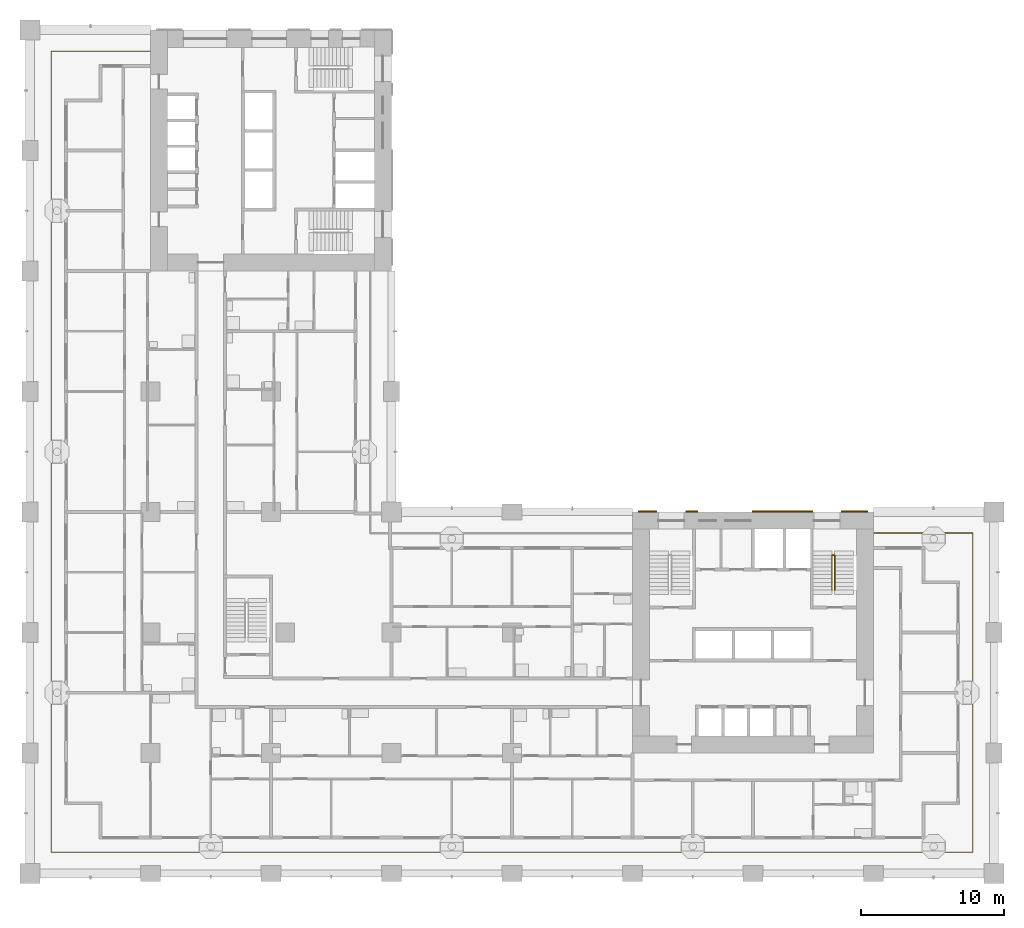
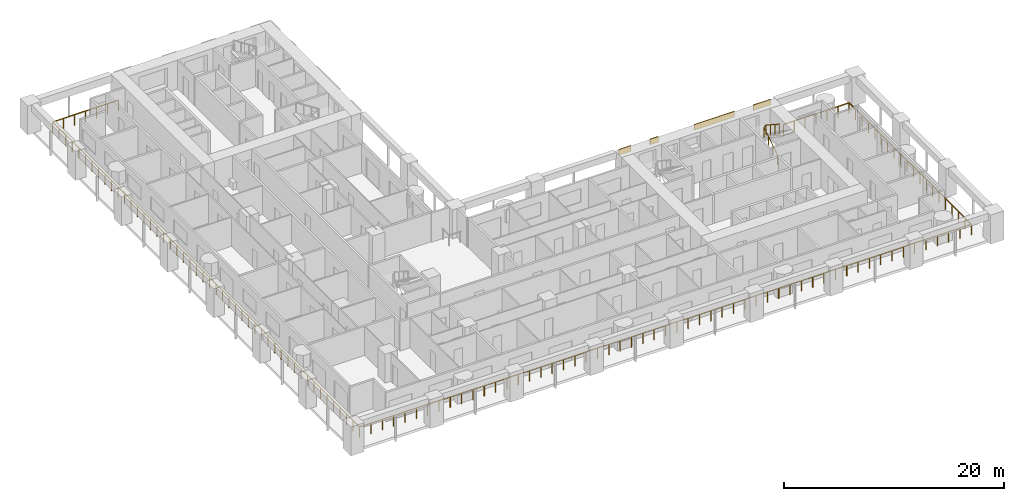
# One storey, part 13 of 20: 4 shading devices, 2 railings.
"""IFC4 building model written with IfcOpenShell, lengths in metres."""

from ifc_helpers import new_model, si_unit, direction, frame, origin, origin_2d, place, context, subcontext, project, spatial, rectangle, circle, extrude, material, layer, layer_set, type_object, element, save


model = new_model("IFC4")

# Units and contexts
model_context = context("Model", 3, precision=1e-05, world=origin(), true_north=direction((0.0, 1.0)))
body_context = subcontext(model_context, "Body", "Model", "MODEL_VIEW")
ifc_project = project(units=[si_unit("LENGTHUNIT", "METRE"), si_unit("AREAUNIT", "SQUARE_METRE"), si_unit("VOLUMEUNIT", "CUBIC_METRE"), si_unit("PLANEANGLEUNIT", "RADIAN"), si_unit("MASSUNIT", "GRAM", prefix="KILO")], contexts=[model_context])

# Site, building, storey
site_placement = place(None, origin())
site = spatial("IfcSite", under=ifc_project, at=site_placement, CompositionType="ELEMENT")
building_placement = place(site_placement, origin())
building = spatial("IfcBuilding", under=site, at=building_placement, Name="Vermilion Gate Residences", CompositionType="ELEMENT")
storey_placement = place(building_placement, frame((0.0, 0.0, 42.699951171875)))
storey = spatial("IfcBuildingStorey", under=building, at=storey_placement, Name="L09", CompositionType="ELEMENT", Elevation=42.699951171875)

# Railings
ifc_material_1 = material(Name="Stainless steel and toughened glass", Category="steel")
railing_type_1 = type_object("IfcRailingType", Name="LOGGIA GUARD STEEL AND GLASS 1200", PredefinedType="GUARDRAIL", material=ifc_material_1)
railing_1_placement = place(storey_placement, frame((8.3779296875, 57.324951171875, 0.0)))
element("IfcRailing", 1, at=railing_1_placement, inside=storey, type_object=railing_type_1, Name="Loggia guard", PredefinedType="GUARDRAIL", context=body_context, shape_type="SweptSolid", body=[
    extrude(circle(Radius=0.030029296875, at=origin_2d()), frame((0.0, 0.0, 1.169921875), z_axis=(-1.0, 0.0, 0.0), x_axis=(0.0, -1.0, 0.0)), (0.0, 0.0, 1.0), 6.90283203125),
    extrude(circle(Radius=0.030029296875, at=origin_2d()), frame((-6.90283203125, 0.0, 1.169921875), z_axis=(0.0, -1.0, 0.0), x_axis=(1.0, 0.0, 0.0)), (0.0, 0.0, 1.0), 55.849853515625),
    extrude(circle(Radius=0.030029296875, at=origin_2d()), frame((-6.90283203125, -55.849853515625, 1.169921875), z_axis=(1.0, 0.0, 0.0), x_axis=(0.0, 1.0, 0.0)), (0.0, 0.0, 1.0), 64.25),
    extrude(circle(Radius=0.030029296875, at=origin_2d()), frame((57.34716796875, -55.849853515625, 1.169921875), z_axis=(0.0, 1.0, 0.0), x_axis=(-1.0, 0.0, 0.0)), (0.0, 0.0, 1.0), 22.25),
    extrude(circle(Radius=0.030029296875, at=origin_2d()), frame((57.34716796875, -33.599853515625, 1.169921875), z_axis=(-1.0, 0.0, 0.0), x_axis=(0.0, -1.0, 0.0)), (0.0, 0.0, 1.0), 6.903076171875),
    extrude(circle(Radius=0.02490234375, at=origin_2d()), origin(), (0.0, 0.0, 1.0), 1.139892578125),
    extrude(circle(Radius=0.02490234375, at=origin_2d()), frame((-1.150390625, 0.0, 0.0)), (0.0, 0.0, 1.0), 1.139892578125),
    extrude(circle(Radius=0.02490234375, at=origin_2d()), frame((-2.301025390625, 0.0, 0.0)), (0.0, 0.0, 1.0), 1.139892578125),
    extrude(circle(Radius=0.02490234375, at=origin_2d()), frame((-3.451416015625, 0.0, 0.0)), (0.0, 0.0, 1.0), 1.139892578125),
    extrude(circle(Radius=0.02490234375, at=origin_2d()), frame((-4.601806640625, 0.0, 0.0)), (0.0, 0.0, 1.0), 1.139892578125),
    extrude(circle(Radius=0.02490234375, at=origin_2d()), frame((-5.75244140625, 0.0, 0.0)), (0.0, 0.0, 1.0), 1.139892578125),
    extrude(circle(Radius=0.02490234375, at=origin_2d()), frame((-6.90283203125, 0.0, 0.0)), (0.0, 0.0, 1.0), 1.139892578125),
    extrude(circle(Radius=0.02490234375, at=origin_2d()), frame((-6.90283203125, -1.188232421875, 0.0)), (0.0, 0.0, 1.0), 1.139892578125),
    extrude(circle(Radius=0.02490234375, at=origin_2d()), frame((-6.90283203125, -2.376708984375, 0.0)), (0.0, 0.0, 1.0), 1.139892578125),
    extrude(circle(Radius=0.02490234375, at=origin_2d()), frame((-6.90283203125, -3.56494140625, 0.0)), (0.0, 0.0, 1.0), 1.139892578125),
    extrude(circle(Radius=0.02490234375, at=origin_2d()), frame((-6.90283203125, -4.753173828125, 0.0)), (0.0, 0.0, 1.0), 1.139892578125),
    extrude(circle(Radius=0.02490234375, at=origin_2d()), frame((-6.90283203125, -5.94140625, 0.0)), (0.0, 0.0, 1.0), 1.139892578125),
    extrude(circle(Radius=0.02490234375, at=origin_2d()), frame((-6.90283203125, -7.1298828125, 0.0)), (0.0, 0.0, 1.0), 1.139892578125),
    extrude(circle(Radius=0.02490234375, at=origin_2d()), frame((-6.90283203125, -8.318115234375, 0.0)), (0.0, 0.0, 1.0), 1.139892578125),
    extrude(circle(Radius=0.02490234375, at=origin_2d()), frame((-6.90283203125, -9.50634765625, 0.0)), (0.0, 0.0, 1.0), 1.139892578125),
    extrude(circle(Radius=0.02490234375, at=origin_2d()), frame((-6.90283203125, -10.694580078125, 0.0)), (0.0, 0.0, 1.0), 1.139892578125),
    extrude(circle(Radius=0.02490234375, at=origin_2d()), frame((-6.90283203125, -11.883056640625, 0.0)), (0.0, 0.0, 1.0), 1.139892578125),
    extrude(circle(Radius=0.02490234375, at=origin_2d()), frame((-6.90283203125, -13.0712890625, 0.0)), (0.0, 0.0, 1.0), 1.139892578125),
    extrude(circle(Radius=0.02490234375, at=origin_2d()), frame((-6.90283203125, -14.259521484375, 0.0)), (0.0, 0.0, 1.0), 1.139892578125),
    extrude(circle(Radius=0.02490234375, at=origin_2d()), frame((-6.90283203125, -15.44775390625, 0.0)), (0.0, 0.0, 1.0), 1.139892578125),
    extrude(circle(Radius=0.02490234375, at=origin_2d()), frame((-6.90283203125, -16.63623046875, 0.0)), (0.0, 0.0, 1.0), 1.139892578125),
    extrude(circle(Radius=0.02490234375, at=origin_2d()), frame((-6.90283203125, -17.824462890625, 0.0)), (0.0, 0.0, 1.0), 1.139892578125),
    extrude(circle(Radius=0.02490234375, at=origin_2d()), frame((-6.90283203125, -19.0126953125, 0.0)), (0.0, 0.0, 1.0), 1.139892578125),
    extrude(circle(Radius=0.02490234375, at=origin_2d()), frame((-6.90283203125, -20.200927734375, 0.0)), (0.0, 0.0, 1.0), 1.139892578125),
    extrude(circle(Radius=0.02490234375, at=origin_2d()), frame((-6.90283203125, -21.389404296875, 0.0)), (0.0, 0.0, 1.0), 1.139892578125),
    extrude(circle(Radius=0.02490234375, at=origin_2d()), frame((-6.90283203125, -22.57763671875, 0.0)), (0.0, 0.0, 1.0), 1.139892578125),
    extrude(circle(Radius=0.02490234375, at=origin_2d()), frame((-6.90283203125, -23.765869140625, 0.0)), (0.0, 0.0, 1.0), 1.139892578125),
    extrude(circle(Radius=0.02490234375, at=origin_2d()), frame((-6.90283203125, -24.9541015625, 0.0)), (0.0, 0.0, 1.0), 1.139892578125),
    extrude(circle(Radius=0.02490234375, at=origin_2d()), frame((-6.90283203125, -26.142578125, 0.0)), (0.0, 0.0, 1.0), 1.139892578125),
    extrude(circle(Radius=0.02490234375, at=origin_2d()), frame((-6.90283203125, -27.330810546875, 0.0)), (0.0, 0.0, 1.0), 1.139892578125),
    extrude(circle(Radius=0.02490234375, at=origin_2d()), frame((-6.90283203125, -28.51904296875, 0.0)), (0.0, 0.0, 1.0), 1.139892578125),
    extrude(circle(Radius=0.02490234375, at=origin_2d()), frame((-6.90283203125, -29.707275390625, 0.0)), (0.0, 0.0, 1.0), 1.139892578125),
    extrude(circle(Radius=0.02490234375, at=origin_2d()), frame((-6.90283203125, -30.895751953125, 0.0)), (0.0, 0.0, 1.0), 1.139892578125),
    extrude(circle(Radius=0.02490234375, at=origin_2d()), frame((-6.90283203125, -32.083984375, 0.0)), (0.0, 0.0, 1.0), 1.139892578125),
    extrude(circle(Radius=0.02490234375, at=origin_2d()), frame((-6.90283203125, -33.272216796875, 0.0)), (0.0, 0.0, 1.0), 1.139892578125),
    extrude(circle(Radius=0.02490234375, at=origin_2d()), frame((-6.90283203125, -34.46044921875, 0.0)), (0.0, 0.0, 1.0), 1.139892578125),
    extrude(circle(Radius=0.02490234375, at=origin_2d()), frame((-6.90283203125, -35.64892578125, 0.0)), (0.0, 0.0, 1.0), 1.139892578125),
    extrude(circle(Radius=0.02490234375, at=origin_2d()), frame((-6.90283203125, -36.837158203125, 0.0)), (0.0, 0.0, 1.0), 1.139892578125),
    extrude(circle(Radius=0.02490234375, at=origin_2d()), frame((-6.90283203125, -38.025390625, 0.0)), (0.0, 0.0, 1.0), 1.139892578125),
    extrude(circle(Radius=0.02490234375, at=origin_2d()), frame((-6.90283203125, -39.213623046875, 0.0)), (0.0, 0.0, 1.0), 1.139892578125),
    extrude(circle(Radius=0.02490234375, at=origin_2d()), frame((-6.90283203125, -40.402099609375, 0.0)), (0.0, 0.0, 1.0), 1.139892578125),
    extrude(circle(Radius=0.02490234375, at=origin_2d()), frame((-6.90283203125, -41.59033203125, 0.0)), (0.0, 0.0, 1.0), 1.139892578125),
    extrude(circle(Radius=0.02490234375, at=origin_2d()), frame((-6.90283203125, -42.778564453125, 0.0)), (0.0, 0.0, 1.0), 1.139892578125),
    extrude(circle(Radius=0.02490234375, at=origin_2d()), frame((-6.90283203125, -43.966796875, 0.0)), (0.0, 0.0, 1.0), 1.139892578125),
    extrude(circle(Radius=0.02490234375, at=origin_2d()), frame((-6.90283203125, -45.1552734375, 0.0)), (0.0, 0.0, 1.0), 1.139892578125),
    extrude(circle(Radius=0.02490234375, at=origin_2d()), frame((-6.90283203125, -46.343505859375, 0.0)), (0.0, 0.0, 1.0), 1.139892578125),
    extrude(circle(Radius=0.02490234375, at=origin_2d()), frame((-6.90283203125, -47.53173828125, 0.0)), (0.0, 0.0, 1.0), 1.139892578125),
    extrude(circle(Radius=0.02490234375, at=origin_2d()), frame((-6.90283203125, -48.719970703125, 0.0)), (0.0, 0.0, 1.0), 1.139892578125),
    extrude(circle(Radius=0.02490234375, at=origin_2d()), frame((-6.90283203125, -49.908447265625, 0.0)), (0.0, 0.0, 1.0), 1.139892578125),
    extrude(circle(Radius=0.02490234375, at=origin_2d()), frame((-6.90283203125, -51.0966796875, 0.0)), (0.0, 0.0, 1.0), 1.139892578125),
    extrude(circle(Radius=0.02490234375, at=origin_2d()), frame((-6.90283203125, -52.284912109375, 0.0)), (0.0, 0.0, 1.0), 1.139892578125),
    extrude(circle(Radius=0.02490234375, at=origin_2d()), frame((-6.90283203125, -53.47314453125, 0.0)), (0.0, 0.0, 1.0), 1.139892578125),
    extrude(circle(Radius=0.02490234375, at=origin_2d()), frame((-6.90283203125, -54.66162109375, 0.0)), (0.0, 0.0, 1.0), 1.139892578125),
    extrude(circle(Radius=0.02490234375, at=origin_2d()), frame((-6.90283203125, -55.849853515625, 0.0)), (0.0, 0.0, 1.0), 1.139892578125),
    extrude(circle(Radius=0.02490234375, at=origin_2d()), frame((-5.713134765625, -55.849853515625, 0.0)), (0.0, 0.0, 1.0), 1.139892578125),
    extrude(circle(Radius=0.02490234375, at=origin_2d()), frame((-4.523193359375, -55.849853515625, 0.0)), (0.0, 0.0, 1.0), 1.139892578125),
    extrude(circle(Radius=0.02490234375, at=origin_2d()), frame((-3.33349609375, -55.849853515625, 0.0)), (0.0, 0.0, 1.0), 1.139892578125),
    extrude(circle(Radius=0.02490234375, at=origin_2d()), frame((-2.1435546875, -55.849853515625, 0.0)), (0.0, 0.0, 1.0), 1.139892578125),
    extrude(circle(Radius=0.02490234375, at=origin_2d()), frame((-0.953857421875, -55.849853515625, 0.0)), (0.0, 0.0, 1.0), 1.139892578125),
    extrude(circle(Radius=0.02490234375, at=origin_2d()), frame((0.236083984375, -55.849853515625, 0.0)), (0.0, 0.0, 1.0), 1.139892578125),
    extrude(circle(Radius=0.02490234375, at=origin_2d()), frame((1.42578125, -55.849853515625, 0.0)), (0.0, 0.0, 1.0), 1.139892578125),
    extrude(circle(Radius=0.02490234375, at=origin_2d()), frame((2.61572265625, -55.849853515625, 0.0)), (0.0, 0.0, 1.0), 1.139892578125),
    extrude(circle(Radius=0.02490234375, at=origin_2d()), frame((3.805419921875, -55.849853515625, 0.0)), (0.0, 0.0, 1.0), 1.139892578125),
    extrude(circle(Radius=0.02490234375, at=origin_2d()), frame((4.995361328125, -55.849853515625, 0.0)), (0.0, 0.0, 1.0), 1.139892578125),
    extrude(circle(Radius=0.02490234375, at=origin_2d()), frame((6.18505859375, -55.849853515625, 0.0)), (0.0, 0.0, 1.0), 1.139892578125),
    extrude(circle(Radius=0.02490234375, at=origin_2d()), frame((7.375, -55.849853515625, 0.0)), (0.0, 0.0, 1.0), 1.139892578125),
    extrude(circle(Radius=0.02490234375, at=origin_2d()), frame((8.564697265625, -55.849853515625, 0.0)), (0.0, 0.0, 1.0), 1.139892578125),
    extrude(circle(Radius=0.02490234375, at=origin_2d()), frame((9.754638671875, -55.849853515625, 0.0)), (0.0, 0.0, 1.0), 1.139892578125),
    extrude(circle(Radius=0.02490234375, at=origin_2d()), frame((10.9443359375, -55.849853515625, 0.0)), (0.0, 0.0, 1.0), 1.139892578125),
    extrude(circle(Radius=0.02490234375, at=origin_2d()), frame((12.13427734375, -55.849853515625, 0.0)), (0.0, 0.0, 1.0), 1.139892578125),
    extrude(circle(Radius=0.02490234375, at=origin_2d()), frame((13.323974609375, -55.849853515625, 0.0)), (0.0, 0.0, 1.0), 1.139892578125),
    extrude(circle(Radius=0.02490234375, at=origin_2d()), frame((14.513916015625, -55.849853515625, 0.0)), (0.0, 0.0, 1.0), 1.139892578125),
    extrude(circle(Radius=0.02490234375, at=origin_2d()), frame((15.70361328125, -55.849853515625, 0.0)), (0.0, 0.0, 1.0), 1.139892578125),
    extrude(circle(Radius=0.02490234375, at=origin_2d()), frame((16.8935546875, -55.849853515625, 0.0)), (0.0, 0.0, 1.0), 1.139892578125),
    extrude(circle(Radius=0.02490234375, at=origin_2d()), frame((18.083251953125, -55.849853515625, 0.0)), (0.0, 0.0, 1.0), 1.139892578125),
    extrude(circle(Radius=0.02490234375, at=origin_2d()), frame((19.273193359375, -55.849853515625, 0.0)), (0.0, 0.0, 1.0), 1.139892578125),
    extrude(circle(Radius=0.02490234375, at=origin_2d()), frame((20.462890625, -55.849853515625, 0.0)), (0.0, 0.0, 1.0), 1.139892578125),
    extrude(circle(Radius=0.02490234375, at=origin_2d()), frame((21.65283203125, -55.849853515625, 0.0)), (0.0, 0.0, 1.0), 1.139892578125),
    extrude(circle(Radius=0.02490234375, at=origin_2d()), frame((22.842529296875, -55.849853515625, 0.0)), (0.0, 0.0, 1.0), 1.139892578125),
    extrude(circle(Radius=0.02490234375, at=origin_2d()), frame((24.032470703125, -55.849853515625, 0.0)), (0.0, 0.0, 1.0), 1.139892578125),
    extrude(circle(Radius=0.02490234375, at=origin_2d()), frame((25.22216796875, -55.849853515625, 0.0)), (0.0, 0.0, 1.0), 1.139892578125),
    extrude(circle(Radius=0.02490234375, at=origin_2d()), frame((26.411865234375, -55.849853515625, 0.0)), (0.0, 0.0, 1.0), 1.139892578125),
    extrude(circle(Radius=0.02490234375, at=origin_2d()), frame((27.601806640625, -55.849853515625, 0.0)), (0.0, 0.0, 1.0), 1.139892578125),
    extrude(circle(Radius=0.02490234375, at=origin_2d()), frame((28.79150390625, -55.849853515625, 0.0)), (0.0, 0.0, 1.0), 1.139892578125),
    extrude(circle(Radius=0.02490234375, at=origin_2d()), frame((29.9814453125, -55.849853515625, 0.0)), (0.0, 0.0, 1.0), 1.139892578125),
    extrude(circle(Radius=0.02490234375, at=origin_2d()), frame((31.171142578125, -55.849853515625, 0.0)), (0.0, 0.0, 1.0), 1.139892578125),
    extrude(circle(Radius=0.02490234375, at=origin_2d()), frame((32.361083984375, -55.849853515625, 0.0)), (0.0, 0.0, 1.0), 1.139892578125),
    extrude(circle(Radius=0.02490234375, at=origin_2d()), frame((33.55078125, -55.849853515625, 0.0)), (0.0, 0.0, 1.0), 1.139892578125),
    extrude(circle(Radius=0.02490234375, at=origin_2d()), frame((34.74072265625, -55.849853515625, 0.0)), (0.0, 0.0, 1.0), 1.139892578125),
    extrude(circle(Radius=0.02490234375, at=origin_2d()), frame((35.930419921875, -55.849853515625, 0.0)), (0.0, 0.0, 1.0), 1.139892578125),
    extrude(circle(Radius=0.02490234375, at=origin_2d()), frame((37.120361328125, -55.849853515625, 0.0)), (0.0, 0.0, 1.0), 1.139892578125),
    extrude(circle(Radius=0.02490234375, at=origin_2d()), frame((38.31005859375, -55.849853515625, 0.0)), (0.0, 0.0, 1.0), 1.139892578125),
    extrude(circle(Radius=0.02490234375, at=origin_2d()), frame((39.5, -55.849853515625, 0.0)), (0.0, 0.0, 1.0), 1.139892578125),
    extrude(circle(Radius=0.02490234375, at=origin_2d()), frame((40.689697265625, -55.849853515625, 0.0)), (0.0, 0.0, 1.0), 1.139892578125),
    extrude(circle(Radius=0.02490234375, at=origin_2d()), frame((41.879638671875, -55.849853515625, 0.0)), (0.0, 0.0, 1.0), 1.139892578125),
    extrude(circle(Radius=0.02490234375, at=origin_2d()), frame((43.0693359375, -55.849853515625, 0.0)), (0.0, 0.0, 1.0), 1.139892578125),
    extrude(circle(Radius=0.02490234375, at=origin_2d()), frame((44.25927734375, -55.849853515625, 0.0)), (0.0, 0.0, 1.0), 1.139892578125),
    extrude(circle(Radius=0.02490234375, at=origin_2d()), frame((45.448974609375, -55.849853515625, 0.0)), (0.0, 0.0, 1.0), 1.139892578125),
    extrude(circle(Radius=0.02490234375, at=origin_2d()), frame((46.638916015625, -55.849853515625, 0.0)), (0.0, 0.0, 1.0), 1.139892578125),
    extrude(circle(Radius=0.02490234375, at=origin_2d()), frame((47.82861328125, -55.849853515625, 0.0)), (0.0, 0.0, 1.0), 1.139892578125),
    extrude(circle(Radius=0.02490234375, at=origin_2d()), frame((49.0185546875, -55.849853515625, 0.0)), (0.0, 0.0, 1.0), 1.139892578125),
    extrude(circle(Radius=0.02490234375, at=origin_2d()), frame((50.208251953125, -55.849853515625, 0.0)), (0.0, 0.0, 1.0), 1.139892578125),
    extrude(circle(Radius=0.02490234375, at=origin_2d()), frame((51.398193359375, -55.849853515625, 0.0)), (0.0, 0.0, 1.0), 1.139892578125),
    extrude(circle(Radius=0.02490234375, at=origin_2d()), frame((52.587890625, -55.849853515625, 0.0)), (0.0, 0.0, 1.0), 1.139892578125),
    extrude(circle(Radius=0.02490234375, at=origin_2d()), frame((53.77783203125, -55.849853515625, 0.0)), (0.0, 0.0, 1.0), 1.139892578125),
    extrude(circle(Radius=0.02490234375, at=origin_2d()), frame((54.967529296875, -55.849853515625, 0.0)), (0.0, 0.0, 1.0), 1.139892578125),
    extrude(circle(Radius=0.02490234375, at=origin_2d()), frame((56.157470703125, -55.849853515625, 0.0)), (0.0, 0.0, 1.0), 1.139892578125),
    extrude(circle(Radius=0.02490234375, at=origin_2d()), frame((57.34716796875, -55.849853515625, 0.0)), (0.0, 0.0, 1.0), 1.139892578125),
    extrude(circle(Radius=0.02490234375, at=origin_2d()), frame((57.34716796875, -54.6787109375, 0.0)), (0.0, 0.0, 1.0), 1.139892578125),
    extrude(circle(Radius=0.02490234375, at=origin_2d()), frame((57.34716796875, -53.5078125, 0.0)), (0.0, 0.0, 1.0), 1.139892578125),
    extrude(circle(Radius=0.02490234375, at=origin_2d()), frame((57.34716796875, -52.336669921875, 0.0)), (0.0, 0.0, 1.0), 1.139892578125),
    extrude(circle(Radius=0.02490234375, at=origin_2d()), frame((57.34716796875, -51.16552734375, 0.0)), (0.0, 0.0, 1.0), 1.139892578125),
    extrude(circle(Radius=0.02490234375, at=origin_2d()), frame((57.34716796875, -49.99462890625, 0.0)), (0.0, 0.0, 1.0), 1.139892578125),
    extrude(circle(Radius=0.02490234375, at=origin_2d()), frame((57.34716796875, -48.823486328125, 0.0)), (0.0, 0.0, 1.0), 1.139892578125),
    extrude(circle(Radius=0.02490234375, at=origin_2d()), frame((57.34716796875, -47.652587890625, 0.0)), (0.0, 0.0, 1.0), 1.139892578125),
    extrude(circle(Radius=0.02490234375, at=origin_2d()), frame((57.34716796875, -46.4814453125, 0.0)), (0.0, 0.0, 1.0), 1.139892578125),
    extrude(circle(Radius=0.02490234375, at=origin_2d()), frame((57.34716796875, -45.310302734375, 0.0)), (0.0, 0.0, 1.0), 1.139892578125),
    extrude(circle(Radius=0.02490234375, at=origin_2d()), frame((57.34716796875, -44.139404296875, 0.0)), (0.0, 0.0, 1.0), 1.139892578125),
    extrude(circle(Radius=0.02490234375, at=origin_2d()), frame((57.34716796875, -42.96826171875, 0.0)), (0.0, 0.0, 1.0), 1.139892578125),
    extrude(circle(Radius=0.02490234375, at=origin_2d()), frame((57.34716796875, -41.797119140625, 0.0)), (0.0, 0.0, 1.0), 1.139892578125),
    extrude(circle(Radius=0.02490234375, at=origin_2d()), frame((57.34716796875, -40.626220703125, 0.0)), (0.0, 0.0, 1.0), 1.139892578125),
    extrude(circle(Radius=0.02490234375, at=origin_2d()), frame((57.34716796875, -39.455078125, 0.0)), (0.0, 0.0, 1.0), 1.139892578125),
    extrude(circle(Radius=0.02490234375, at=origin_2d()), frame((57.34716796875, -38.2841796875, 0.0)), (0.0, 0.0, 1.0), 1.139892578125),
    extrude(circle(Radius=0.02490234375, at=origin_2d()), frame((57.34716796875, -37.113037109375, 0.0)), (0.0, 0.0, 1.0), 1.139892578125),
    extrude(circle(Radius=0.02490234375, at=origin_2d()), frame((57.34716796875, -35.94189453125, 0.0)), (0.0, 0.0, 1.0), 1.139892578125),
    extrude(circle(Radius=0.02490234375, at=origin_2d()), frame((57.34716796875, -34.77099609375, 0.0)), (0.0, 0.0, 1.0), 1.139892578125),
    extrude(circle(Radius=0.02490234375, at=origin_2d()), frame((57.34716796875, -33.599853515625, 0.0)), (0.0, 0.0, 1.0), 1.139892578125),
    extrude(circle(Radius=0.02490234375, at=origin_2d()), frame((56.19677734375, -33.599853515625, 0.0)), (0.0, 0.0, 1.0), 1.139892578125),
    extrude(circle(Radius=0.02490234375, at=origin_2d()), frame((55.046142578125, -33.599853515625, 0.0)), (0.0, 0.0, 1.0), 1.139892578125),
    extrude(circle(Radius=0.02490234375, at=origin_2d()), frame((53.8955078125, -33.599853515625, 0.0)), (0.0, 0.0, 1.0), 1.139892578125),
    extrude(circle(Radius=0.02490234375, at=origin_2d()), frame((52.7451171875, -33.599853515625, 0.0)), (0.0, 0.0, 1.0), 1.139892578125),
    extrude(circle(Radius=0.02490234375, at=origin_2d()), frame((51.5947265625, -33.599853515625, 0.0)), (0.0, 0.0, 1.0), 1.139892578125),
    extrude(circle(Radius=0.02490234375, at=origin_2d()), frame((50.444091796875, -33.599853515625, 0.0)), (0.0, 0.0, 1.0), 1.139892578125),
])
ifc_material_2 = material(Name="Steel S355", Category="steel")
railing_type_2 = type_object("IfcRailingType", Name="STAIR GUARD 1100 STEEL", PredefinedType="GUARDRAIL", material=ifc_material_2)
railing_2_placement = place(storey_placement, frame((55.89990234375, 19.75, 0.175048828125)))
element("IfcRailing", 2, at=railing_2_placement, inside=storey, type_object=railing_type_2, Name="Stair well guard STA2-09", PredefinedType="GUARDRAIL", context=body_context, shape_type="SweptSolid", body=[
    extrude(circle(Radius=0.02392578125, at=origin_2d()), frame((0.0, 0.0, 1.076171875), z_axis=(0.0, 0.839153699163, 0.543894354798), x_axis=(-1.0, 0.0, 0.0)), (0.0, 0.0, 1.0), 2.895751953125),
    extrude(circle(Radius=0.02392578125, at=origin_2d()), frame((0.0, 2.429931640625, 2.65087890625), z_axis=(0.752804132164, 0.0, 0.658244588734), x_axis=(0.0, 1.0, 0.0)), (0.0, 0.0, 1.0), 0.265869140625),
    extrude(circle(Radius=0.02392578125, at=origin_2d()), frame((0.2001953125, 2.429931640625, 2.826171875), z_axis=(0.0, -0.839153699163, 0.543894354798), x_axis=(1.0, 0.0, 0.0)), (0.0, 0.0, 1.0), 2.895751953125),
    extrude(circle(Radius=0.02099609375, at=origin_2d()), origin(), (0.0, 0.0, 1.0), 1.052001953125),
    extrude(circle(Radius=0.02099609375, at=origin_2d()), frame((0.0, 0.81005859375, 0.52490234375)), (0.0, 0.0, 1.0), 1.052001953125),
    extrude(circle(Radius=0.02099609375, at=origin_2d()), frame((0.0, 1.619873046875, 1.050048828125)), (0.0, 0.0, 1.0), 1.052001953125),
    extrude(circle(Radius=0.02099609375, at=origin_2d()), frame((0.0, 2.429931640625, 1.574951171875)), (0.0, 0.0, 1.0), 1.052001953125),
    extrude(circle(Radius=0.02099609375, at=origin_2d()), frame((0.2001953125, 2.429931640625, 1.75)), (0.0, 0.0, 1.0), 1.052001953125),
    extrude(circle(Radius=0.02099609375, at=origin_2d()), frame((0.2001953125, 1.619873046875, 2.27490234375)), (0.0, 0.0, 1.0), 1.052001953125),
    extrude(circle(Radius=0.02099609375, at=origin_2d()), frame((0.2001953125, 0.81005859375, 2.800048828125)), (0.0, 0.0, 1.0), 1.052001953125),
    extrude(circle(Radius=0.02099609375, at=origin_2d()), frame((0.2001953125, 0.0, 3.324951171875)), (0.0, 0.0, 1.0), 1.052001953125),
])

# Shading devices
ifc_material_3 = material(Name="Extruded terracotta", Category="masonry")
ifc_layer = layer(ifc_material_3, 0.10009765625)
ifc_layer_set = layer_set([ifc_layer], Name="TERRACOTTA SPANDREL BAND 600 X 100")
shading_device_type = type_object("IfcShadingDeviceType", Name="TERRACOTTA SPANDREL BAND 600 X 100", PredefinedType="USERDEFINED", material=ifc_layer_set)
shading_device_1_placement = place(storey_placement, frame((43.050048828125, 25.25, 2.6201171875), z_axis=(0.0, 0.0, 1.0), x_axis=(1.0, 0.0, 0.0)))
element("IfcShadingDevice", 3, at=shading_device_1_placement, inside=storey, type_object=shading_device_type, Name="SPANDREL BAND", ObjectType="BAND", PredefinedType="USERDEFINED", context=body_context, shape_type="SweptSolid", body=[
    extrude(rectangle(XDim=1.300048828125, YDim=0.10009765625, at=origin_2d()), origin(), (0.0, 0.0, 1.0), 0.60009765625),
])
shading_device_2_placement = place(storey_placement, frame((46.121826171875, 25.25, 2.6201171875), z_axis=(0.0, 0.0, 1.0), x_axis=(1.0, 0.0, 0.0)))
element("IfcShadingDevice", 4, at=shading_device_2_placement, inside=storey, type_object=shading_device_type, Name="SPANDREL BAND", ObjectType="BAND", PredefinedType="USERDEFINED", context=body_context, shape_type="SweptSolid", body=[
    extrude(rectangle(XDim=0.84375, YDim=0.10009765625, at=origin_2d()), origin(), (0.0, 0.0, 1.0), 0.60009765625),
])
shading_device_3_placement = place(storey_placement, frame((52.449951171875, 25.25, 2.6201171875), z_axis=(0.0, 0.0, 1.0), x_axis=(1.0, 0.0, 0.0)))
element("IfcShadingDevice", 5, at=shading_device_3_placement, inside=storey, type_object=shading_device_type, Name="SPANDREL BAND", ObjectType="BAND", PredefinedType="USERDEFINED", context=body_context, shape_type="SweptSolid", body=[
    extrude(rectangle(XDim=4.199951171875, YDim=0.10009765625, at=origin_2d()), origin(), (0.0, 0.0, 1.0), 0.60009765625),
])
shading_device_4_placement = place(storey_placement, frame((57.47509765625, 25.25, 2.6201171875), z_axis=(0.0, 0.0, 1.0), x_axis=(1.0, 0.0, 0.0)))
element("IfcShadingDevice", 6, at=shading_device_4_placement, inside=storey, type_object=shading_device_type, Name="SPANDREL BAND", ObjectType="BAND", PredefinedType="USERDEFINED", context=body_context, shape_type="SweptSolid", body=[
    extrude(rectangle(XDim=1.85009765625, YDim=0.10009765625, at=origin_2d()), origin(), (0.0, 0.0, 1.0), 0.60009765625),
])

save(model, "model.ifc")
